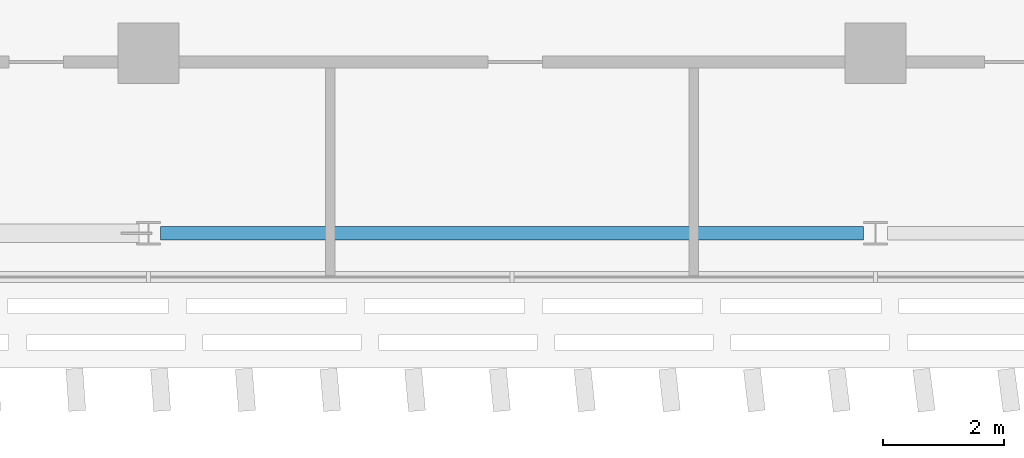
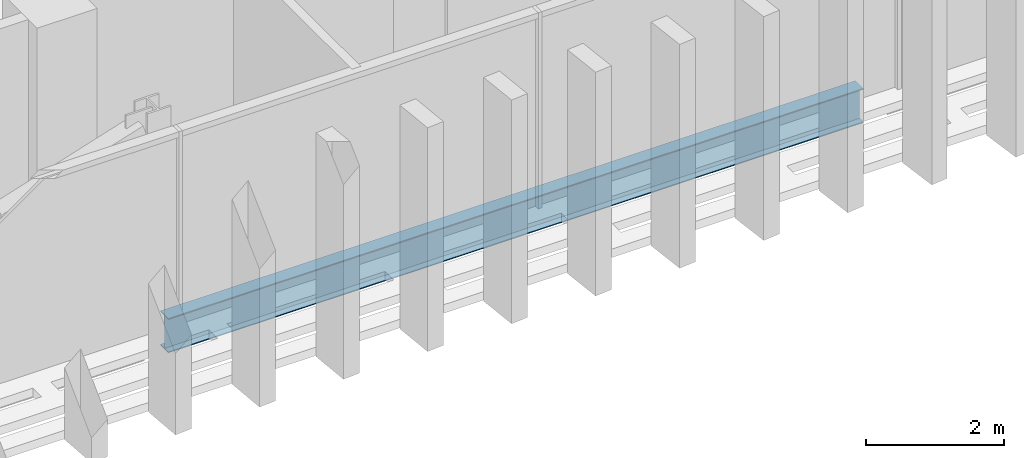
# One storey, part 6 of 34: 1 beam.
"""IFC4 building model written with IfcOpenShell, lengths in metres."""

from ifc_helpers import new_model, si_unit, direction, frame, origin, origin_2d, place, context, subcontext, project, spatial, i_section, extrude, material, material_profile, profile_set, type_object, element, save


model = new_model("IFC4")

# Units and contexts
model_context = context("Model", 3, precision=1e-05, world=origin(), true_north=direction((0.0, 1.0)))
body_context = subcontext(model_context, "Body", "Model", "MODEL_VIEW")
ifc_project = project(units=[si_unit("LENGTHUNIT", "METRE"), si_unit("AREAUNIT", "SQUARE_METRE"), si_unit("VOLUMEUNIT", "CUBIC_METRE"), si_unit("PLANEANGLEUNIT", "RADIAN"), si_unit("MASSUNIT", "GRAM", prefix="KILO")], contexts=[model_context])

# Site, building, storey
site_placement = place(None, origin())
site = spatial("IfcSite", under=ifc_project, at=site_placement, CompositionType="ELEMENT")
building_placement = place(site_placement, origin())
building = spatial("IfcBuilding", under=site, at=building_placement, Name="Mahtab Terrace Research Tower", CompositionType="ELEMENT")
storey_placement = place(building_placement, frame((0.0, 0.0, 247.60009765625)))
storey = spatial("IfcBuildingStorey", under=building, at=storey_placement, Name="L60", CompositionType="ELEMENT", Elevation=247.60009765625)

# Beam
ifc_material = material(Name="Steel ASTM A992 Gr 50", Category="steel")
ifc_material_profile = material_profile(ifc_material, i_section(OverallWidth=0.228271484375, OverallDepth=0.607177734375, WebThickness=0.01123046875, FlangeThickness=0.017333984375, at=origin_2d()), Name="W24X76")
ifc_profile_set = profile_set([ifc_material_profile], Name="Steel ASTM A992 Gr 50")
beam_type = type_object("IfcBeamType", Name="W24x76 beam BS2476", PredefinedType="BEAM", material=ifc_profile_set)
beam_placement = place(storey_placement, frame((-17.800537109375, -14.472900390625, -0.6435546875), z_axis=(1.0, 0.0, 0.0), x_axis=(0.0, 1.0, 0.0)))
element("IfcBeam", 1, at=beam_placement, inside=storey, type_object=beam_type, Name="Spandrel beam L60 14", PredefinedType="BEAM", context=body_context, shape_type="SweptSolid", body=[
    extrude(i_section(OverallWidth=0.228271484375, OverallDepth=0.607177734375, WebThickness=0.01123046875, FlangeThickness=0.017333984375, at=origin_2d()), origin(), (0.0, 0.0, 1.0), 11.60107421875),
])

save(model, "model.ifc")
